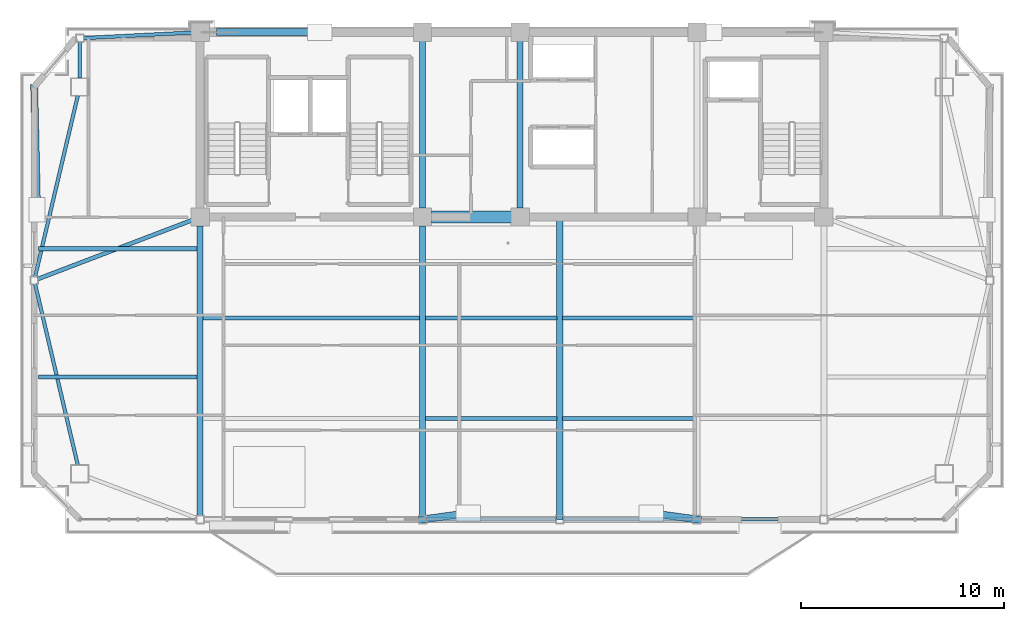
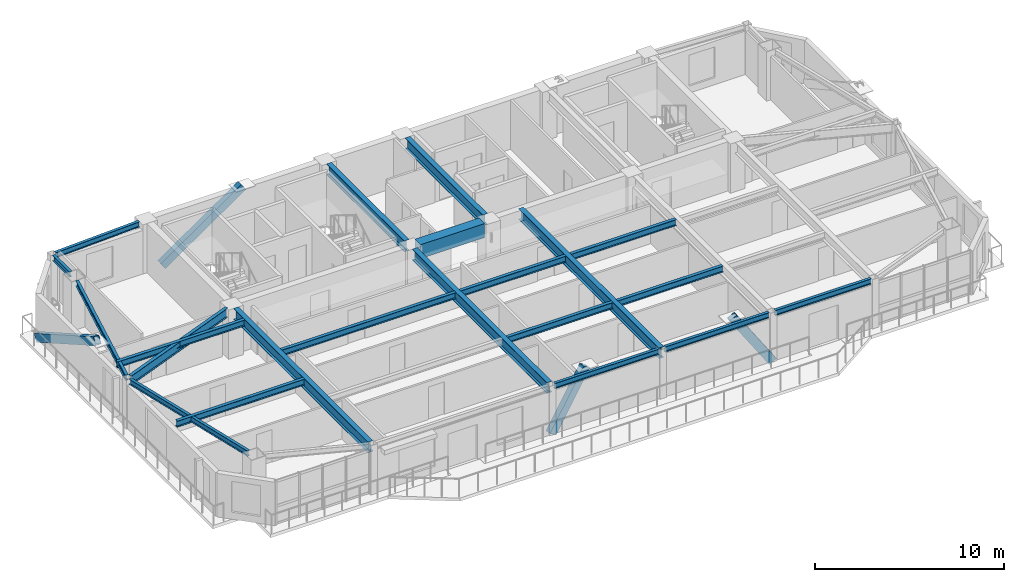
# One storey, part 3 of 13: 21 beams, 4 members.
"""IFC4 building model written with IfcOpenShell, lengths in metres."""

from ifc_helpers import new_model, si_unit, direction, frame, origin, origin_2d, place, context, subcontext, project, spatial, rectangle, hollow_rectangle, i_section, extrude, source, transform, mapped, material, material_profile, profile_set, type_object, element, save


model = new_model("IFC4")

# Units and contexts
model_context = context("Model", 3, precision=1e-05, world=origin(), true_north=direction((0.0, 1.0)))
body_context = subcontext(model_context, "Body", "Model", "MODEL_VIEW")
ifc_project = project(units=[si_unit("LENGTHUNIT", "METRE"), si_unit("AREAUNIT", "SQUARE_METRE"), si_unit("VOLUMEUNIT", "CUBIC_METRE"), si_unit("PLANEANGLEUNIT", "RADIAN"), si_unit("MASSUNIT", "GRAM", prefix="KILO")], contexts=[model_context])

# Site, building, storey
site_placement = place(None, origin())
site = spatial("IfcSite", under=ifc_project, at=site_placement, CompositionType="ELEMENT")
building_placement = place(site_placement, origin())
building = spatial("IfcBuilding", under=site, at=building_placement, Name="Giltprow Tower", CompositionType="ELEMENT")
storey_placement = place(building_placement, frame((0.0, 0.0, 335.699951171875)))
storey = spatial("IfcBuildingStorey", under=building, at=storey_placement, Name="L87", CompositionType="ELEMENT", Elevation=335.699951171875)

# Beams
ifc_material_1 = material(Name="Structural steel Q355B", Category="steel")
ifc_material_profile_1 = material_profile(ifc_material_1, i_section(OverallWidth=0.199951171875, OverallDepth=0.39990234375, WebThickness=0.008056640625, FlangeThickness=0.012939453125, at=origin_2d()), Name="HN 400x200x8x13")
ifc_profile_set_1 = profile_set([ifc_material_profile_1], Name="Structural steel Q355B")
beam_type_1 = type_object("IfcBeamType", Name="BM-JOIST-HN400", PredefinedType="JOIST", material=ifc_profile_set_1)
shared_shape_1 = source(origin(), body_context, "Body", "SweptSolid", [
    extrude(i_section(OverallWidth=0.199951171875, OverallDepth=0.39990234375, WebThickness=0.008056640625, FlangeThickness=0.012939453125, at=origin_2d()), origin(), (0.0, 0.0, 1.0), 10.659912109375),
])
beam_1_placement = place(storey_placement, frame((19.9951171875, 32.489013671875, 2.985107421875), z_axis=(1.0, 0.0, 0.0), x_axis=(0.0, 1.0, 0.0)))
element("IfcBeam", 1, at=beam_1_placement, inside=storey, type_object=beam_type_1, Name="L87 Composite Floor Joist 2-1", PredefinedType="JOIST", context=body_context, shape_type="MappedRepresentation", body=[
    mapped(shared_shape_1, transform((0.0, 0.0, 0.0), x_axis=(1.0, 0.0, 0.0), y_axis=(0.0, 1.0, 0.0), z_axis=(0.0, 0.0, 1.0), scale=1.0)),
])
shared_shape_2 = source(origin(), body_context, "Body", "SweptSolid", [
    extrude(i_section(OverallWidth=0.199951171875, OverallDepth=0.39990234375, WebThickness=0.008056640625, FlangeThickness=0.012939453125, at=origin_2d()), origin(), (0.0, 0.0, 1.0), 6.4599609375),
])
for number, where, z_axis, x_axis, name in (
    (2, (30.945068359375, 27.529052734375, 2.985107421875), (1.0, 0.0, 0.0), (0.0, 1.0, 0.0), "L87 Composite Floor Joist 1-2"),
    (3, (37.695068359375, 27.529052734375, 2.985107421875), (1.0, 0.0, 0.0), (0.0, 1.0, 0.0), "L87 Composite Floor Joist 1-3"),
    (4, (30.945068359375, 32.489013671875, 2.985107421875), (1.0, 0.0, 0.0), (0.0, 1.0, 0.0), "L87 Composite Floor Joist 2-2"),
    (5, (37.695068359375, 32.489013671875, 2.985107421875), (1.0, 0.0, 0.0), (0.0, 1.0, 0.0), "L87 Composite Floor Joist 2-3"),
):
    element("IfcBeam", number, at=place(storey_placement, frame(where, z_axis=z_axis, x_axis=x_axis)), inside=storey, type_object=beam_type_1, Name=name, PredefinedType="JOIST", context=body_context, shape_type="MappedRepresentation", body=[
        mapped(shared_shape_2, transform((0.0, 0.0, 0.0), x_axis=(1.0, 0.0, 0.0), y_axis=(0.0, 1.0, 0.0), z_axis=(0.0, 0.0, 1.0), scale=1.0)),
    ])
ifc_material_2 = material(Name="Concrete C50", Category="concrete")
ifc_material_profile_2 = material_profile(ifc_material_2, rectangle(XDim=0.60009765625, YDim=0.89990234375, at=origin_2d()), Name="RC 900x600")
ifc_profile_set_2 = profile_set([ifc_material_profile_2], Name="Concrete C50")
beam_type_2 = type_object("IfcBeamType", Name="BM-CPL-RC900", PredefinedType="LINTEL", material=ifc_profile_set_2)
shared_shape_3 = source(origin(), body_context, "Body", "SweptSolid", [
    extrude(rectangle(XDim=0.60009765625, YDim=0.89990234375, at=origin_2d()), origin(), (0.0, 0.0, 1.0), 3.929931640625),
])
beam_2_placement = place(storey_placement, frame((31.235107421875, 37.449951171875, 2.735107421875), z_axis=(1.0, 0.0, 0.0), x_axis=(0.0, 1.0, 0.0)))
element("IfcBeam", 6, at=beam_2_placement, inside=storey, type_object=beam_type_2, Name="L87 Core Coupling Beam CB-1", PredefinedType="LINTEL", context=body_context, shape_type="MappedRepresentation", body=[
    mapped(shared_shape_3, transform((0.0, 0.0, 0.0), x_axis=(1.0, 0.0, 0.0), y_axis=(0.0, 1.0, 0.0), z_axis=(0.0, 0.0, 1.0), scale=1.0)),
])
ifc_material_profile_3 = material_profile(ifc_material_1, i_section(OverallWidth=0.300048828125, OverallDepth=0.699951171875, WebThickness=0.012939453125, FlangeThickness=0.02392578125, at=origin_2d()), Name="HN 700x300x13x24")
ifc_profile_set_3 = profile_set([ifc_material_profile_3], Name="Structural steel Q355B")
beam_type_3 = type_object("IfcBeamType", Name="BM-GIRD-HN700", PredefinedType="BEAM", material=ifc_profile_set_3)
shared_shape_4 = source(origin(), body_context, "Body", "SweptSolid", [
    extrude(i_section(OverallWidth=0.300048828125, OverallDepth=0.699951171875, WebThickness=0.012939453125, FlangeThickness=0.02392578125, at=origin_2d()), origin(), (0.0, 0.0, 1.0), 8.22998046875),
])
for number, where, z_axis, x_axis, name in (
    (7, (30.800048828125, 37.885009765625, 2.8349609375), (0.0, 1.0, 0.0), (-1.0, 0.0, 0.0), "L87 Core Tie Girder M1"),
    (8, (35.60009765625, 37.885009765625, 2.8349609375), (0.0, 1.0, 0.0), (-1.0, 0.0, 0.0), "L87 Core Tie Girder M2"),
):
    element("IfcBeam", number, at=place(storey_placement, frame(where, z_axis=z_axis, x_axis=x_axis)), inside=storey, type_object=beam_type_3, Name=name, PredefinedType="BEAM", context=body_context, shape_type="MappedRepresentation", body=[
        mapped(shared_shape_4, transform((0.0, 0.0, 0.0), x_axis=(1.0, 0.0, 0.0), y_axis=(0.0, 1.0, 0.0), z_axis=(0.0, 0.0, 1.0), scale=1.0)),
    ])
ifc_material_profile_4 = material_profile(ifc_material_1, i_section(OverallWidth=0.175048828125, OverallDepth=0.35009765625, WebThickness=0.007080078125, FlangeThickness=0.010986328125, at=origin_2d()), Name="HN 350x175x7x11")
ifc_profile_set_4 = profile_set([ifc_material_profile_4], Name="Structural steel Q355B")
beam_type_4 = type_object("IfcBeamType", Name="BM-SPAN-HN350", PredefinedType="SPANDREL", material=ifc_profile_set_4)
shared_shape_5 = source(origin(), body_context, "Body", "SweptSolid", [
    extrude(i_section(OverallWidth=0.175048828125, OverallDepth=0.35009765625, WebThickness=0.007080078125, FlangeThickness=0.010986328125, at=origin_2d()), origin(), (0.0, 0.0, 1.0), 6.3798828125),
])
for number, where, z_axis, x_axis, name in (
    (9, (30.985107421875, 22.568115234375, 3.010009765625), (1.0, 0.0, 0.0), (0.0, 1.0, 0.0), "L87 Perimeter Spandrel Beam S2-S_MID"),
    (10, (37.735107421875, 22.568115234375, 3.010009765625), (1.0, 0.0, 0.0), (0.0, 1.0, 0.0), "L87 Perimeter Spandrel Beam S_MID-S3"),
):
    element("IfcBeam", number, at=place(storey_placement, frame(where, z_axis=z_axis, x_axis=x_axis)), inside=storey, type_object=beam_type_4, Name=name, PredefinedType="SPANDREL", context=body_context, shape_type="MappedRepresentation", body=[
        mapped(shared_shape_5, transform((0.0, 0.0, 0.0), x_axis=(1.0, 0.0, 0.0), y_axis=(0.0, 1.0, 0.0), z_axis=(0.0, 0.0, 1.0), scale=1.0)),
    ])
shared_shape_6 = source(origin(), body_context, "Body", "SweptSolid", [
    extrude(i_section(OverallWidth=0.175048828125, OverallDepth=0.35009765625, WebThickness=0.007080078125, FlangeThickness=0.010986328125, at=origin_2d()), origin(), (0.0, 0.0, 1.0), 5.8798828125),
])
beam_3_placement = place(storey_placement, frame((44.485107421875, 22.568115234375, 3.010009765625), z_axis=(1.0, 0.0, 0.0), x_axis=(0.0, 1.0, 0.0)))
element("IfcBeam", 11, at=beam_3_placement, inside=storey, type_object=beam_type_4, Name="L87 Perimeter Spandrel Beam S3-S4", PredefinedType="SPANDREL", context=body_context, shape_type="MappedRepresentation", body=[
    mapped(shared_shape_6, transform((0.0, 0.0, 0.0), x_axis=(1.0, 0.0, 0.0), y_axis=(0.0, 1.0, 0.0), z_axis=(0.0, 0.0, 1.0), scale=1.0)),
])
shared_shape_7 = source(origin(), body_context, "Body", "SweptSolid", [
    extrude(i_section(OverallWidth=0.175048828125, OverallDepth=0.35009765625, WebThickness=0.007080078125, FlangeThickness=0.010986328125, at=origin_2d()), origin(), (0.0, 0.0, 1.0), 9.161865234375),
])
for number, where, z_axis, x_axis, name in (
    (12, (13.8310546875, 43.430908203125, 3.010009765625), (-0.22964825006, -0.973273692876, 0.0), (0.973273692876, -0.22964825006, 0.0), "L87 Perimeter Spandrel Beam MC_NW-W_MID"),
    (13, (11.72705078125, 34.154052734375, 3.010009765625), (0.22964825006, -0.973273692876, 0.0), (0.973273692876, 0.22964825006, 0.0), "L87 Perimeter Spandrel Beam W_MID-MC_SW"),
):
    element("IfcBeam", number, at=place(storey_placement, frame(where, z_axis=z_axis, x_axis=x_axis)), inside=storey, type_object=beam_type_4, Name=name, PredefinedType="SPANDREL", context=body_context, shape_type="MappedRepresentation", body=[
        mapped(shared_shape_7, transform((0.0, 0.0, 0.0), x_axis=(1.0, 0.0, 0.0), y_axis=(0.0, 1.0, 0.0), z_axis=(0.0, 0.0, 1.0), scale=1.0)),
    ])
shared_shape_8 = source(origin(), body_context, "Body", "SweptSolid", [
    extrude(i_section(OverallWidth=0.175048828125, OverallDepth=0.35009765625, WebThickness=0.007080078125, FlangeThickness=0.010986328125, at=origin_2d()), origin(), (0.0, 0.0, 1.0), 1.77587890625),
])
beam_4_placement = place(storey_placement, frame((13.930908203125, 46.06494140625, 3.010009765625), z_axis=(0.0, -1.0, 0.0), x_axis=(1.0, 0.0, 0.0)))
element("IfcBeam", 14, at=beam_4_placement, inside=storey, type_object=beam_type_4, Name="L87 Perimeter Spandrel Beam N_W-MC_NW", PredefinedType="SPANDREL", context=body_context, shape_type="MappedRepresentation", body=[
    mapped(shared_shape_8, transform((0.0, 0.0, 0.0), x_axis=(1.0, 0.0, 0.0), y_axis=(0.0, 1.0, 0.0), z_axis=(0.0, 0.0, 1.0), scale=1.0)),
])
shared_shape_9 = source(origin(), body_context, "Body", "SweptSolid", [
    extrude(i_section(OverallWidth=0.175048828125, OverallDepth=0.35009765625, WebThickness=0.007080078125, FlangeThickness=0.010986328125, at=origin_2d()), origin(), (0.0, 0.0, 1.0), 5.306884765625),
])
beam_5_placement = place(storey_placement, frame((14.115966796875, 46.259033203125, 3.010009765625), z_axis=(0.998714076234, 0.050697080106, 0.0), x_axis=(-0.050697080106, 0.998714076234, 0.0)))
element("IfcBeam", 15, at=beam_5_placement, inside=storey, type_object=beam_type_4, Name="L87 North Wing Spandrel W", PredefinedType="SPANDREL", context=body_context, shape_type="MappedRepresentation", body=[
    mapped(shared_shape_9, transform((0.0, 0.0, 0.0), x_axis=(1.0, 0.0, 0.0), y_axis=(0.0, 1.0, 0.0), z_axis=(0.0, 0.0, 1.0), scale=1.0)),
])
shared_shape_10 = source(origin(), body_context, "Body", "SweptSolid", [
    extrude(i_section(OverallWidth=0.300048828125, OverallDepth=0.699951171875, WebThickness=0.012939453125, FlangeThickness=0.02392578125, at=origin_2d()), origin(), (0.0, 0.0, 1.0), 14.261962890625),
])
for number, where, z_axis, x_axis, name in (
    (16, (19.85009765625, 22.7529296875, 2.8349609375), (0.0, 1.0, 0.0), (-1.0, 0.0, 0.0), "L87 Primary Lease Girder S1"),
    (17, (30.800048828125, 22.7529296875, 2.8349609375), (0.0, 1.0, 0.0), (-1.0, 0.0, 0.0), "L87 Primary Lease Girder S2"),
):
    element("IfcBeam", number, at=place(storey_placement, frame(where, z_axis=z_axis, x_axis=x_axis)), inside=storey, type_object=beam_type_3, Name=name, PredefinedType="BEAM", context=body_context, shape_type="MappedRepresentation", body=[
        mapped(shared_shape_10, transform((0.0, 0.0, 0.0), x_axis=(1.0, 0.0, 0.0), y_axis=(0.0, 1.0, 0.0), z_axis=(0.0, 0.0, 1.0), scale=1.0)),
    ])
shared_shape_11 = source(origin(), body_context, "Body", "SweptSolid", [
    extrude(i_section(OverallWidth=0.300048828125, OverallDepth=0.699951171875, WebThickness=0.012939453125, FlangeThickness=0.02392578125, at=origin_2d()), origin(), (0.0, 0.0, 1.0), 14.8818359375),
])
beam_6_placement = place(storey_placement, frame((37.550048828125, 22.568115234375, 2.8349609375), z_axis=(0.0, 1.0, 0.0), x_axis=(-1.0, 0.0, 0.0)))
element("IfcBeam", 18, at=beam_6_placement, inside=storey, type_object=beam_type_3, Name="L87 Central Lease Girder SMID", PredefinedType="BEAM", context=body_context, shape_type="MappedRepresentation", body=[
    mapped(shared_shape_11, transform((0.0, 0.0, 0.0), x_axis=(1.0, 0.0, 0.0), y_axis=(0.0, 1.0, 0.0), z_axis=(0.0, 0.0, 1.0), scale=1.0)),
])
ifc_material_profile_5 = material_profile(ifc_material_1, i_section(OverallWidth=0.199951171875, OverallDepth=0.60009765625, WebThickness=0.010986328125, FlangeThickness=0.01708984375, at=origin_2d()), Name="HN 600x200x11x17")
ifc_profile_set_5 = profile_set([ifc_material_profile_5], Name="Structural steel Q355B")
beam_type_5 = type_object("IfcBeamType", Name="BM-GIRD-HN600", PredefinedType="BEAM", material=ifc_profile_set_5)
shared_shape_12 = source(origin(), body_context, "Body", "SweptSolid", [
    extrude(i_section(OverallWidth=0.199951171875, OverallDepth=0.60009765625, WebThickness=0.010986328125, FlangeThickness=0.01708984375, at=origin_2d()), origin(), (0.0, 0.0, 1.0), 8.119873046875),
])
beam_7_placement = place(storey_placement, frame((11.85791015625, 34.39990234375, 2.885009765625), z_axis=(0.934280857327, 0.356537907707, 0.0), x_axis=(-0.356537907707, 0.934280857327, 0.0)))
element("IfcBeam", 19, at=beam_7_placement, inside=storey, type_object=beam_type_5, Name="L87 West Wing Primary Girder", PredefinedType="BEAM", context=body_context, shape_type="MappedRepresentation", body=[
    mapped(shared_shape_12, transform((0.0, 0.0, 0.0), x_axis=(1.0, 0.0, 0.0), y_axis=(0.0, 1.0, 0.0), z_axis=(0.0, 0.0, 1.0), scale=1.0)),
])
shared_shape_13 = source(origin(), body_context, "Body", "SweptSolid", [
    extrude(i_section(OverallWidth=0.199951171875, OverallDepth=0.39990234375, WebThickness=0.008056640625, FlangeThickness=0.012939453125, at=origin_2d()), origin(), (0.0, 0.0, 1.0), 7.800048828125),
])
for number, where, z_axis, x_axis, name in (
    (20, (11.905029296875, 29.573974609375, 2.985107421875), (1.0, 0.0, 0.0), (0.0, 1.0, 0.0), "L87 West Wing Floor Joist 1"),
    (21, (11.905029296875, 35.89208984375, 2.985107421875), (1.0, 0.0, 0.0), (0.0, 1.0, 0.0), "L87 West Wing Floor Joist 2"),
):
    element("IfcBeam", number, at=place(storey_placement, frame(where, z_axis=z_axis, x_axis=x_axis)), inside=storey, type_object=beam_type_1, Name=name, PredefinedType="JOIST", context=body_context, shape_type="MappedRepresentation", body=[
        mapped(shared_shape_13, transform((0.0, 0.0, 0.0), x_axis=(1.0, 0.0, 0.0), y_axis=(0.0, 1.0, 0.0), z_axis=(0.0, 0.0, 1.0), scale=1.0)),
    ])

# Members
ifc_material_3 = material(Name="Structural steel Q420GJC", Category="steel")
ifc_material_profile_6 = material_profile(ifc_material_3, hollow_rectangle(XDim=0.35009765625, YDim=0.5, WallThickness=0.02392578125, at=origin_2d()), Name="RHS 500x350x24")
ifc_profile_set_6 = profile_set([ifc_material_profile_6], Name="Structural steel Q420GJC")
member_type = type_object("IfcMemberType", Name="MBR-MEGA-RHS500", PredefinedType="BRACE", material=ifc_profile_set_6)
shared_shape_14 = source(origin(), body_context, "Body", "SweptSolid", [
    extrude(hollow_rectangle(XDim=0.35009765625, YDim=0.5, WallThickness=0.02392578125, at=origin_2d()), origin(), (0.0, 0.0, 1.0), 5.990966796875),
])
member_1_placement = place(storey_placement, frame((20.800048828125, 46.550048828125, -0.139892578125), z_axis=(0.823374311816, 0.0, 0.56749867193), x_axis=(0.0, 1.0, 0.0)))
element("IfcMember", 22, at=member_1_placement, inside=storey, type_object=member_type, Name="L87 Chevron Mega-Brace N-L", PredefinedType="BRACE", context=body_context, shape_type="MappedRepresentation", body=[
    mapped(shared_shape_14, transform((0.0, 0.0, 0.0), x_axis=(1.0, 0.0, 0.0), y_axis=(0.0, 1.0, 0.0), z_axis=(0.0, 0.0, 1.0), scale=1.0)),
])
shared_shape_15 = source(origin(), body_context, "Body", "SweptSolid", [
    extrude(hollow_rectangle(XDim=0.35009765625, YDim=0.5, WallThickness=0.02392578125, at=origin_2d()), origin(), (0.0, 0.0, 1.0), 4.089111328125),
])
for number, where, z_axis, x_axis, name in (
    (23, (30.800048828125, 22.568115234375, 0.0), (0.550254052163, 0.07600622921, 0.831530835989), (-0.136830167681, 0.990594521089, 0.0), "L87 Chevron Mega-Brace S-L"),
    (24, (44.300048828125, 22.568115234375, 0.0), (-0.550254052163, 0.07600622921, 0.831530835989), (-0.136830167681, -0.990594521089, 0.0), "L87 Chevron Mega-Brace S-R"),
):
    element("IfcMember", number, at=place(storey_placement, frame(where, z_axis=z_axis, x_axis=x_axis)), inside=storey, type_object=member_type, Name=name, PredefinedType="BRACE", context=body_context, shape_type="MappedRepresentation", body=[
        mapped(shared_shape_15, transform((0.0, 0.0, 0.0), x_axis=(1.0, 0.0, 0.0), y_axis=(0.0, 1.0, 0.0), z_axis=(0.0, 0.0, 1.0), scale=1.0)),
    ])
shared_shape_16 = source(origin(), body_context, "Body", "SweptSolid", [
    extrude(hollow_rectangle(XDim=0.35009765625, YDim=0.5, WallThickness=0.02392578125, at=origin_2d()), origin(), (0.0, 0.0, 1.0), 6.942138671875),
])
member_2_placement = place(storey_placement, frame((11.68505859375, 43.85400390625, 0.0), z_axis=(0.019869540113, -0.871622215411, 0.48977537196), x_axis=(0.999740271367, 0.02279012521, 0.0)))
element("IfcMember", 25, at=member_2_placement, inside=storey, type_object=member_type, Name="L87 Chevron Mega-Brace W-D", PredefinedType="BRACE", context=body_context, shape_type="MappedRepresentation", body=[
    mapped(shared_shape_16, transform((0.0, 0.0, 0.0), x_axis=(1.0, 0.0, 0.0), y_axis=(0.0, 1.0, 0.0), z_axis=(0.0, 0.0, 1.0), scale=1.0)),
])

save(model, "model.ifc")
